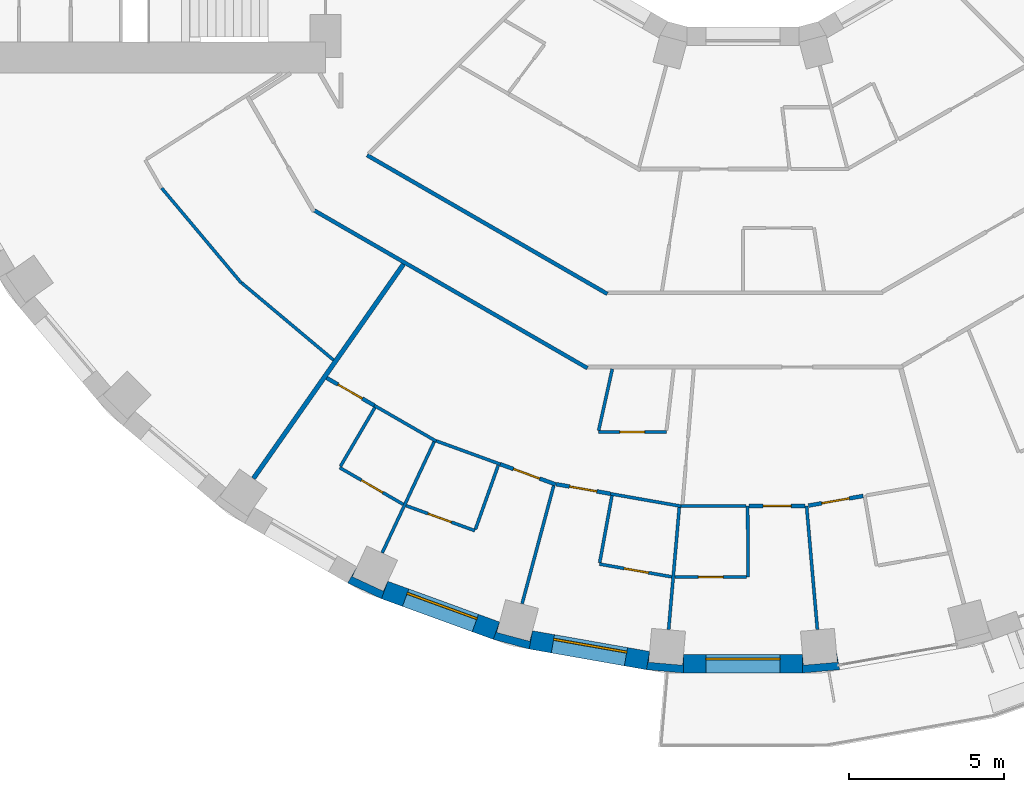
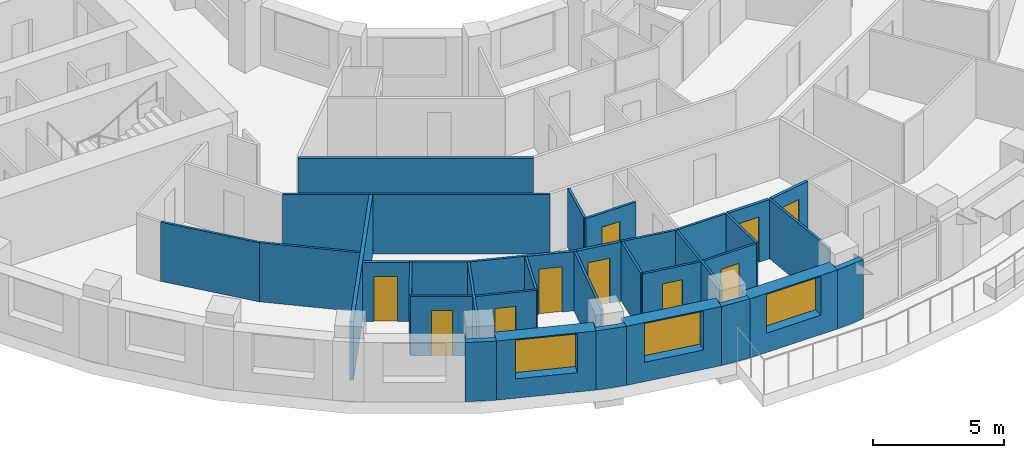
# One storey, part 5 of 16: 35 walls, 10 doors, 3 windows, 13 openings.
"""IFC4 building model written with IfcOpenShell, lengths in metres."""

from ifc_helpers import new_model, si_unit, direction, frame, frame_2d, origin, place, context, subcontext, project, spatial, polyline, rectangle, outline, extrude, material, layer, layer_set, type_object, element, fill, save


model = new_model("IFC4")

# Units and contexts
model_context = context("Model", 3, precision=1e-05, world=origin(), true_north=direction((0.0, 1.0)))
body_context = subcontext(model_context, "Body", "Model", "MODEL_VIEW")
ifc_project = project(units=[si_unit("LENGTHUNIT", "METRE"), si_unit("AREAUNIT", "SQUARE_METRE"), si_unit("VOLUMEUNIT", "CUBIC_METRE"), si_unit("PLANEANGLEUNIT", "RADIAN"), si_unit("MASSUNIT", "GRAM", prefix="KILO")], contexts=[model_context])

# Site, building, storey
site_placement = place(None, origin())
site = spatial("IfcSite", under=ifc_project, at=site_placement, CompositionType="ELEMENT")
building_placement = place(site_placement, origin())
building = spatial("IfcBuilding", under=site, at=building_placement, Name="Saqina Gate Tower", CompositionType="ELEMENT")
storey_placement = place(building_placement, frame((0.0, 0.0, 26.300048828125)))
storey = spatial("IfcBuildingStorey", under=building, at=storey_placement, Name="L06", CompositionType="ELEMENT", Elevation=26.300048828125)

# Walls
ifc_material_1 = material(Name="Brick masonry (red)", Category="masonry")
wall_type_1 = type_object("IfcWallType", Name="BRICK PIER COPING RED", PredefinedType="SOLIDWALL", material=ifc_material_1)
wall_1_placement = place(storey_placement, origin())
element("IfcWall", 1, at=wall_1_placement, inside=storey, type_object=wall_type_1, Name="Pier cap L06 column 25", PredefinedType="SOLIDWALL", context=body_context, shape_type="SweptSolid", body=[
    extrude(outline(polyline([(-11.687744140625, -26.48974609375), (-11.482666015625, -25.92578125), (-11.630615234375, -26.243408203125), (-12.627685546875, -25.778564453125), (-12.4794921875, -25.4609375), (-12.779541015625, -25.980712890625), (-11.687744140625, -26.48974609375)])), origin(), (0.0, 0.0, 1.0), 2.75),
])
wall_2_placement = place(storey_placement, origin())
element("IfcWall", 2, at=wall_2_placement, inside=storey, type_object=wall_type_1, Name="Pier cap L06 column 26", PredefinedType="SOLIDWALL", context=body_context, shape_type="SweptSolid", body=[
    extrude(outline(polyline([(-6.910400390625, -28.11669921875), (-6.80615234375, -27.52587890625), (-6.896728515625, -27.864501953125), (-7.95947265625, -27.57958984375), (-7.86865234375, -27.2412109375), (-8.073974609375, -27.80517578125), (-6.910400390625, -28.11669921875)])), origin(), (0.0, 0.0, 1.0), 2.75),
])
wall_3_placement = place(storey_placement, origin())
element("IfcWall", 3, at=wall_3_placement, inside=storey, type_object=wall_type_1, Name="Pier cap L06 column 27", PredefinedType="SOLIDWALL", context=body_context, shape_type="SweptSolid", body=[
    extrude(outline(polyline([(-3.122802734375, -28.78466796875), (-1.9228515625, -28.8896484375), (-1.9228515625, -28.28955078125), (-1.95361328125, -28.638671875), (-3.04931640625, -28.54296875), (-3.018798828125, -28.19384765625), (-3.122802734375, -28.78466796875)])), origin(), (0.0, 0.0, 1.0), 2.75),
])
wall_4_placement = place(storey_placement, origin())
element("IfcWall", 4, at=wall_4_placement, inside=storey, type_object=wall_type_1, Name="Pier cap L06 column 28", PredefinedType="SOLIDWALL", context=body_context, shape_type="SweptSolid", body=[
    extrude(outline(polyline([(1.9228515625, -28.8896484375), (3.122802734375, -28.78466796875), (3.018798828125, -28.19384765625), (3.04931640625, -28.54296875), (1.95361328125, -28.638671875), (1.9228515625, -28.28955078125), (1.9228515625, -28.8896484375)])), origin(), (0.0, 0.0, 1.0), 2.75),
])

# Wall, opening, window
ifc_material_2 = material(Name="Brick masonry (red)", Category="masonry")
ifc_layer_1 = layer(ifc_material_2, 0.60009765625)
ifc_layer_set_1 = layer_set([ifc_layer_1], Name="FW-BRICK-RED")
wall_type_2 = type_object("IfcWallType", Name="FW-BRICK-RED", PredefinedType="SOLIDWALL", material=ifc_layer_set_1)
wall_5_placement = place(storey_placement, frame((-11.585205078125, -26.207763671875, 0.0), z_axis=(0.0, 0.0, 1.0), x_axis=(0.939689588564, -0.342028474173, 0.0)))
wall_5 = element("IfcWall", 5, at=wall_5_placement, inside=storey, type_object=wall_type_2, Name="Facade wall L06 facet 25", PredefinedType="SOLIDWALL", context=body_context, shape_type="SweptSolid", body=[
    extrude(rectangle(XDim=3.845947265625, YDim=0.60009765625, at=frame_2d((1.9228515625, 0.0))), origin(), (0.0, 0.0, 1.0), 2.75),
])
opening_1_placement = place(wall_5_placement, frame((0.722900390625, 0.0, 0.89990234375)))
opening_1 = element("IfcOpeningElement", 6, at=opening_1_placement, cuts=wall_5, Name="Opening G01-W18", PredefinedType="OPENING", context=body_context, shape_type="SweptSolid", body=[
    extrude(rectangle(XDim=2.39990234375, YDim=1.800048828125, at=frame_2d((1.199951171875, 0.89990234375))), frame((0.0, 0.31201171875, 0.0), z_axis=(0.0, -1.0, 0.0), x_axis=(1.0, 0.0, 0.0)), (0.0, 0.0, 1.0), 0.6240234375),
])
ifc_material_3 = material(Name="Aluminium glazing", Category="aluminium")
window_type = type_object("IfcWindowType", Name="WN-A", PartitioningType="SINGLE_PANEL", PredefinedType="WINDOW", material=ifc_material_3)
window_1_placement = place(opening_1_placement, origin())
window_1 = element("IfcWindow", 7, at=window_1_placement, inside=storey, type_object=window_type, Name="Window L06 facet 25", OverallHeight=1.800048828125, OverallWidth=2.39990234375, PartitioningType="SINGLE_PANEL", PredefinedType="WINDOW", context=body_context, shape_type="SweptSolid", body=[
    extrude(rectangle(XDim=2.39990234375, YDim=1.800048828125, at=frame_2d((1.199951171875, 0.89990234375))), frame((0.0, 0.179931640625, 0.0), z_axis=(0.0, -1.0, 0.0), x_axis=(1.0, 0.0, 0.0)), (0.0, 0.0, 1.0), 0.06005859375),
])
fill(opening_1, window_1)

wall_6_placement = place(storey_placement, frame((-6.858154296875, -27.8212890625, 0.0), z_axis=(0.0, 0.0, 1.0), x_axis=(0.984800809218, -0.173687553279, 0.0)))
wall_6 = element("IfcWall", 8, at=wall_6_placement, inside=storey, type_object=wall_type_2, Name="Facade wall L06 facet 26", PredefinedType="SOLIDWALL", context=body_context, shape_type="SweptSolid", body=[
    extrude(rectangle(XDim=3.845703125, YDim=0.60009765625, at=frame_2d((1.9228515625, 0.0))), origin(), (0.0, 0.0, 1.0), 2.75),
])
opening_2_placement = place(wall_6_placement, frame((0.722900390625, 0.0, 0.89990234375)))
opening_2 = element("IfcOpeningElement", 9, at=opening_2_placement, cuts=wall_6, Name="Opening G01-W19", PredefinedType="OPENING", context=body_context, shape_type="SweptSolid", body=[
    extrude(rectangle(XDim=2.39990234375, YDim=1.800048828125, at=frame_2d((1.199951171875, 0.89990234375))), frame((0.0, 0.31201171875, 0.0), z_axis=(0.0, -1.0, 0.0), x_axis=(1.0, 0.0, 0.0)), (0.0, 0.0, 1.0), 0.6240234375),
])
window_2_placement = place(opening_2_placement, origin())
window_2 = element("IfcWindow", 10, at=window_2_placement, inside=storey, type_object=window_type, Name="Window L06 facet 26", OverallHeight=1.800048828125, OverallWidth=2.39990234375, PartitioningType="SINGLE_PANEL", PredefinedType="WINDOW", context=body_context, shape_type="SweptSolid", body=[
    extrude(rectangle(XDim=2.39990234375, YDim=1.800048828125, at=frame_2d((1.199951171875, 0.89990234375))), frame((0.0, 0.179931640625, 0.0), z_axis=(0.0, -1.0, 0.0), x_axis=(1.0, 0.0, 0.0)), (0.0, 0.0, 1.0), 0.06005859375),
])
fill(opening_2, window_2)

wall_7_placement = place(storey_placement, frame((-1.9228515625, -28.589599609375, 0.0), z_axis=(0.0, 0.0, 1.0), x_axis=(1.0, 0.0, 0.0)))
wall_7 = element("IfcWall", 11, at=wall_7_placement, inside=storey, type_object=wall_type_2, Name="Facade wall L06 facet 27", PredefinedType="SOLIDWALL", context=body_context, shape_type="SweptSolid", body=[
    extrude(rectangle(XDim=3.845703125, YDim=0.60009765625, at=frame_2d((1.9228515625, 0.0))), origin(), (0.0, 0.0, 1.0), 2.75),
])
opening_3_placement = place(wall_7_placement, frame((0.722900390625, 0.0, 0.89990234375)))
opening_3 = element("IfcOpeningElement", 12, at=opening_3_placement, cuts=wall_7, Name="Opening G01-W20", PredefinedType="OPENING", context=body_context, shape_type="SweptSolid", body=[
    extrude(rectangle(XDim=2.39990234375, YDim=1.800048828125, at=frame_2d((1.199951171875, 0.89990234375))), frame((0.0, 0.31201171875, 0.0), z_axis=(0.0, -1.0, 0.0), x_axis=(1.0, 0.0, 0.0)), (0.0, 0.0, 1.0), 0.6240234375),
])
window_3_placement = place(opening_3_placement, origin())
window_3 = element("IfcWindow", 13, at=window_3_placement, inside=storey, type_object=window_type, Name="Window L06 facet 27", OverallHeight=1.800048828125, OverallWidth=2.39990234375, PartitioningType="SINGLE_PANEL", PredefinedType="WINDOW", context=body_context, shape_type="SweptSolid", body=[
    extrude(rectangle(XDim=2.39990234375, YDim=1.800048828125, at=frame_2d((1.199951171875, 0.89990234375))), frame((0.0, 0.179931640625, 0.0), z_axis=(0.0, -1.0, 0.0), x_axis=(1.0, 0.0, 0.0)), (0.0, 0.0, 1.0), 0.06005859375),
])
fill(opening_3, window_3)

# Walls
ifc_material_4 = material(Name="Gypsum board on steel studs, 100 mm", Category="steel")
ifc_layer_2 = layer(ifc_material_4, 0.10009765625)
ifc_layer_set_2 = layer_set([ifc_layer_2], Name="PARTITION 100")
wall_type_3 = type_object("IfcWallType", Name="PARTITION 100", PredefinedType="PARTITIONING", material=ifc_layer_set_2)
wall_8_placement = place(storey_placement, frame((0.14990234375, -23.489990234375, 0.0), z_axis=(0.0, 0.0, 1.0), x_axis=(0.006580899844, -0.999978345644, 0.0)))
element("IfcWall", 14, at=wall_8_placement, inside=storey, type_object=wall_type_3, Name="PARTITION PW3-02", PredefinedType="PARTITIONING", context=body_context, shape_type="SweptSolid", body=[
    extrude(rectangle(XDim=2.300048828125, YDim=0.10009765625, at=frame_2d((1.14990234375, 0.0))), origin(), (0.0, 0.0, 1.0), 2.75),
])
wall_9_placement = place(storey_placement, frame((2.054931640625, -23.489990234375, 0.0), z_axis=(0.0, 0.0, 1.0), x_axis=(0.087176012461, -0.996192924514, 0.0)))
element("IfcWall", 15, at=wall_9_placement, inside=storey, type_object=wall_type_3, Name="PARTITION PW3-04", PredefinedType="PARTITIONING", context=body_context, shape_type="SweptSolid", body=[
    extrude(rectangle(XDim=4.010498046875, YDim=0.10009765625, at=frame_2d((2.00537109375, 0.0))), origin(), (0.0, 0.0, 1.0), 2.75),
])
wall_10_placement = place(storey_placement, frame((-18.789794921875, -13.21728515625, 0.0), z_axis=(0.0, 0.0, 1.0), x_axis=(0.642871887239, -0.765973717955, 0.0)))
element("IfcWall", 16, at=wall_10_placement, inside=storey, type_object=wall_type_3, Name="PARTITION PW3-28", PredefinedType="PARTITIONING", context=body_context, shape_type="SweptSolid", body=[
    extrude(rectangle(XDim=4.006103515625, YDim=0.10009765625, at=frame_2d((2.0029296875, 0.0))), origin(), (0.0, 0.0, 1.0), 2.75),
])
wall_11_placement = place(storey_placement, frame((-16.208740234375, -16.279052734375, 0.0), z_axis=(0.0, 0.0, 1.0), x_axis=(0.765983658549, -0.642860042961, 0.0)))
element("IfcWall", 17, at=wall_11_placement, inside=storey, type_object=wall_type_3, Name="PARTITION PW3-33", PredefinedType="PARTITIONING", context=body_context, shape_type="SweptSolid", body=[
    extrude(rectangle(XDim=3.880615234375, YDim=0.10009765625, at=frame_2d((1.9404296875, 0.0))), origin(), (0.0, 0.0, 1.0), 2.75),
])

# Wall, opening, door
wall_12_placement = place(storey_placement, frame((-13.0380859375, -22.251953125, 0.0), z_axis=(0.0, 0.0, 1.0), x_axis=(0.865966132161, -0.500102647413, 0.0)))
wall_12 = element("IfcWall", 18, at=wall_12_placement, inside=storey, type_object=wall_type_3, Name="PARTITION PW3-37", PredefinedType="PARTITIONING", context=body_context, shape_type="SweptSolid", body=[
    extrude(rectangle(XDim=2.37158203125, YDim=0.10009765625, at=frame_2d((1.185791015625, 0.0))), origin(), (0.0, 0.0, 1.0), 2.75),
])
opening_4_placement = place(wall_12_placement, frame((0.810791015625, 0.0, 0.0)))
opening_4 = element("IfcOpeningElement", 19, at=opening_4_placement, cuts=wall_12, Name="Opening G01-D44", PredefinedType="OPENING", context=body_context, shape_type="SweptSolid", body=[
    extrude(rectangle(XDim=0.800048828125, YDim=2.10009765625, at=frame_2d((0.39990234375, 1.050048828125))), frame((0.0, 0.06201171875, 0.0), z_axis=(0.0, -1.0, 0.0), x_axis=(1.0, 0.0, 0.0)), (0.0, 0.0, 1.0), 0.1240234375),
])
ifc_material_5 = material(Name="Timber door leaf, 800 mm", Category="wood")
door_type_1 = type_object("IfcDoorType", Name="DOOR 800 TIMBER", OperationType="SINGLE_SWING_LEFT", PredefinedType="DOOR", material=ifc_material_5)
door_1_placement = place(opening_4_placement, frame((0.800048828125, 0.0, 0.0), z_axis=(0.0, 0.0, 1.0), x_axis=(-1.0, 0.0, 0.0)))
door_1 = element("IfcDoor", 20, at=door_1_placement, inside=storey, type_object=door_type_1, Name="DOOR G01-D44", OperationType="SINGLE_SWING_LEFT", OverallHeight=2.10009765625, OverallWidth=0.800048828125, PredefinedType="DOOR", context=body_context, shape_type="SweptSolid", body=[
    extrude(rectangle(XDim=0.800048828125, YDim=2.10009765625, at=frame_2d((0.39990234375, 1.050048828125))), frame((0.0, 0.02490234375, 0.0), z_axis=(0.0, -1.0, 0.0), x_axis=(1.0, 0.0, 0.0)), (0.0, 0.0, 1.0), 0.050048828125),
])
fill(opening_4, door_1)

# Wall
wall_13_placement = place(storey_placement, frame((-11.918212890625, -20.24267578125, 0.0), z_axis=(0.0, 0.0, 1.0), x_axis=(0.866176772653, -0.49973772973, 0.0)))
element("IfcWall", 21, at=wall_13_placement, inside=storey, type_object=wall_type_3, Name="PARTITION PW3-38", PredefinedType="PARTITIONING", context=body_context, shape_type="SweptSolid", body=[
    extrude(rectangle(XDim=2.305908203125, YDim=0.10009765625, at=frame_2d((1.15283203125, 0.0))), origin(), (0.0, 0.0, 1.0), 2.75),
])

# Wall, opening, door
wall_14_placement = place(storey_placement, frame((-10.89404296875, -23.47998046875, 0.0), z_axis=(0.0, 0.0, 1.0), x_axis=(0.939679129941, -0.342057206844, 0.0)))
wall_14 = element("IfcWall", 22, at=wall_14_placement, inside=storey, type_object=wall_type_3, Name="PARTITION PW3-47", PredefinedType="PARTITIONING", context=body_context, shape_type="SweptSolid", body=[
    extrude(rectangle(XDim=2.37109375, YDim=0.10009765625, at=frame_2d((1.185546875, 0.0))), origin(), (0.0, 0.0, 1.0), 2.75),
])
opening_5_placement = place(wall_14_placement, frame((0.760498046875, 0.0, 0.0)))
opening_5 = element("IfcOpeningElement", 23, at=opening_5_placement, cuts=wall_14, Name="Opening G01-D46", PredefinedType="OPENING", context=body_context, shape_type="SweptSolid", body=[
    extrude(rectangle(XDim=0.800048828125, YDim=2.10009765625, at=frame_2d((0.39990234375, 1.050048828125))), frame((0.0, 0.06201171875, 0.0), z_axis=(0.0, -1.0, 0.0), x_axis=(1.0, 0.0, 0.0)), (0.0, 0.0, 1.0), 0.1240234375),
])
door_2_placement = place(opening_5_placement, frame((0.800048828125, 0.0, 0.0), z_axis=(0.0, 0.0, 1.0), x_axis=(-1.0, 0.0, 0.0)))
door_2 = element("IfcDoor", 24, at=door_2_placement, inside=storey, type_object=door_type_1, Name="DOOR G01-D46", OperationType="SINGLE_SWING_RIGHT", OverallHeight=2.10009765625, OverallWidth=0.800048828125, PredefinedType="DOOR", context=body_context, shape_type="SweptSolid", body=[
    extrude(rectangle(XDim=0.800048828125, YDim=2.10009765625, at=frame_2d((0.39990234375, 1.050048828125))), frame((0.0, 0.02490234375, 0.0), z_axis=(0.0, -1.0, 0.0), x_axis=(1.0, 0.0, 0.0)), (0.0, 0.0, 1.0), 0.050048828125),
])
fill(opening_5, door_2)

# Wall
wall_15_placement = place(storey_placement, frame((-9.91796875, -21.38720703125, 0.0), z_axis=(0.0, 0.0, 1.0), x_axis=(0.939728749343, -0.341920864613, 0.0)))
element("IfcWall", 25, at=wall_15_placement, inside=storey, type_object=wall_type_3, Name="PARTITION PW3-48", PredefinedType="PARTITIONING", context=body_context, shape_type="SweptSolid", body=[
    extrude(rectangle(XDim=2.204833984375, YDim=0.10009765625, at=frame_2d((1.1025390625, 0.0))), origin(), (0.0, 0.0, 1.0), 2.75),
])

# Wall, opening, door
wall_16_placement = place(storey_placement, frame((-4.64111328125, -25.368896484375, 0.0), z_axis=(0.0, 0.0, 1.0), x_axis=(0.984774232096, -0.17383817705, 0.0)))
wall_16 = element("IfcWall", 26, at=wall_16_placement, inside=storey, type_object=wall_type_3, Name="PARTITION PW3-51", PredefinedType="PARTITIONING", context=body_context, shape_type="SweptSolid", body=[
    extrude(rectangle(XDim=2.3720703125, YDim=0.10009765625, at=frame_2d((1.18603515625, 0.0))), origin(), (0.0, 0.0, 1.0), 2.75),
])
opening_6_placement = place(wall_16_placement, frame((0.810791015625, 0.0, 0.0)))
opening_6 = element("IfcOpeningElement", 27, at=opening_6_placement, cuts=wall_16, Name="Opening G01-D51", PredefinedType="OPENING", context=body_context, shape_type="SweptSolid", body=[
    extrude(rectangle(XDim=0.800048828125, YDim=2.10009765625, at=frame_2d((0.39990234375, 1.050048828125))), frame((0.0, 0.06201171875, 0.0), z_axis=(0.0, -1.0, 0.0), x_axis=(1.0, 0.0, 0.0)), (0.0, 0.0, 1.0), 0.1240234375),
])
door_3_placement = place(opening_6_placement, frame((0.800048828125, 0.0, 0.0), z_axis=(0.0, 0.0, 1.0), x_axis=(-1.0, 0.0, 0.0)))
door_3 = element("IfcDoor", 28, at=door_3_placement, inside=storey, type_object=door_type_1, Name="DOOR G01-D51", OperationType="SINGLE_SWING_LEFT", OverallHeight=2.10009765625, OverallWidth=0.800048828125, PredefinedType="DOOR", context=body_context, shape_type="SweptSolid", body=[
    extrude(rectangle(XDim=0.800048828125, YDim=2.10009765625, at=frame_2d((0.39990234375, 1.050048828125))), frame((0.0, 0.02490234375, 0.0), z_axis=(0.0, -1.0, 0.0), x_axis=(1.0, 0.0, 0.0)), (0.0, 0.0, 1.0), 0.050048828125),
])
fill(opening_6, door_3)

# Wall
wall_17_placement = place(storey_placement, frame((-4.276123046875, -23.098388671875, 0.0), z_axis=(0.0, 0.0, 1.0), x_axis=(0.984814448646, -0.173610200557, 0.0)))
element("IfcWall", 29, at=wall_17_placement, inside=storey, type_object=wall_type_3, Name="PARTITION PW3-52", PredefinedType="PARTITIONING", context=body_context, shape_type="SweptSolid", body=[
    extrude(rectangle(XDim=2.30615234375, YDim=0.10009765625, at=frame_2d((1.153076171875, 0.0))), origin(), (0.0, 0.0, 1.0), 2.75),
])

# Wall, opening, door
wall_18_placement = place(storey_placement, frame((-2.2060546875, -25.7900390625, 0.0), z_axis=(0.0, 0.0, 1.0), x_axis=(1.0, 0.0, 0.0)))
wall_18 = element("IfcWall", 30, at=wall_18_placement, inside=storey, type_object=wall_type_3, Name="PARTITION PW3-55", PredefinedType="PARTITIONING", context=body_context, shape_type="SweptSolid", body=[
    extrude(rectangle(XDim=2.321044921875, YDim=0.10009765625, at=frame_2d((1.16064453125, 0.0))), origin(), (0.0, 0.0, 1.0), 2.75),
])
opening_7_placement = place(wall_18_placement, frame((0.760498046875, 0.0, 0.0)))
opening_7 = element("IfcOpeningElement", 31, at=opening_7_placement, cuts=wall_18, Name="Opening G01-D54", PredefinedType="OPENING", context=body_context, shape_type="SweptSolid", body=[
    extrude(rectangle(XDim=0.800048828125, YDim=2.10009765625, at=frame_2d((0.39990234375, 1.050048828125))), frame((0.0, 0.06201171875, 0.0), z_axis=(0.0, -1.0, 0.0), x_axis=(1.0, 0.0, 0.0)), (0.0, 0.0, 1.0), 0.1240234375),
])
door_4_placement = place(opening_7_placement, frame((0.800048828125, 0.0, 0.0), z_axis=(0.0, 0.0, 1.0), x_axis=(-1.0, 0.0, 0.0)))
door_4 = element("IfcDoor", 32, at=door_4_placement, inside=storey, type_object=door_type_1, Name="DOOR G01-D54", OperationType="SINGLE_SWING_RIGHT", OverallHeight=2.10009765625, OverallWidth=0.800048828125, PredefinedType="DOOR", context=body_context, shape_type="SweptSolid", body=[
    extrude(rectangle(XDim=0.800048828125, YDim=2.10009765625, at=frame_2d((0.39990234375, 1.050048828125))), frame((0.0, 0.02490234375, 0.0), z_axis=(0.0, -1.0, 0.0), x_axis=(1.0, 0.0, 0.0)), (0.0, 0.0, 1.0), 0.050048828125),
])
fill(opening_7, door_4)

# Wall
wall_19_placement = place(storey_placement, frame((-2.0048828125, -23.489990234375, 0.0), z_axis=(0.0, 0.0, 1.0), x_axis=(1.0, 0.0, 0.0)))
element("IfcWall", 33, at=wall_19_placement, inside=storey, type_object=wall_type_3, Name="PARTITION PW3-56", PredefinedType="PARTITIONING", context=body_context, shape_type="SweptSolid", body=[
    extrude(rectangle(XDim=2.10498046875, YDim=0.10009765625, at=frame_2d((1.052490234375, 0.0))), origin(), (0.0, 0.0, 1.0), 2.75),
])

# Wall, opening, door
wall_20_placement = place(storey_placement, frame((-4.677978515625, -21.10009765625, 0.0), z_axis=(0.0, 0.0, 1.0), x_axis=(1.0, 0.0, 0.0)))
wall_20 = element("IfcWall", 34, at=wall_20_placement, inside=storey, type_object=wall_type_3, Name="PARTITION PW3-57", PredefinedType="PARTITIONING", context=body_context, shape_type="SweptSolid", body=[
    extrude(rectangle(XDim=2.197998046875, YDim=0.10009765625, at=frame_2d((1.09912109375, 0.0))), origin(), (0.0, 0.0, 1.0), 2.75),
])
opening_8_placement = place(wall_20_placement, frame((0.698974609375, 0.0, 0.0)))
opening_8 = element("IfcOpeningElement", 35, at=opening_8_placement, cuts=wall_20, Name="Opening G01-D49", PredefinedType="OPENING", context=body_context, shape_type="SweptSolid", body=[
    extrude(rectangle(XDim=0.800048828125, YDim=2.10009765625, at=frame_2d((0.39990234375, 1.050048828125))), frame((0.0, 0.06201171875, 0.0), z_axis=(0.0, -1.0, 0.0), x_axis=(1.0, 0.0, 0.0)), (0.0, 0.0, 1.0), 0.1240234375),
])
door_5_placement = place(opening_8_placement, frame((0.800048828125, 0.0, 0.0), z_axis=(0.0, 0.0, 1.0), x_axis=(-1.0, 0.0, 0.0)))
door_5 = element("IfcDoor", 36, at=door_5_placement, inside=storey, type_object=door_type_1, Name="DOOR G01-D49", OperationType="SINGLE_SWING_LEFT", OverallHeight=2.10009765625, OverallWidth=0.800048828125, PredefinedType="DOOR", context=body_context, shape_type="SweptSolid", body=[
    extrude(rectangle(XDim=0.800048828125, YDim=2.10009765625, at=frame_2d((0.39990234375, 1.050048828125))), frame((0.0, 0.02490234375, 0.0), z_axis=(0.0, -1.0, 0.0), x_axis=(1.0, 0.0, 0.0)), (0.0, 0.0, 1.0), 0.050048828125),
])
fill(opening_8, door_5)

# Walls
wall_21_placement = place(storey_placement, frame((-13.0126953125, -22.208984375, 0.0), z_axis=(0.0, 0.0, 1.0), x_axis=(0.505622659536, 0.862754731174, 0.0)))
element("IfcWall", 37, at=wall_21_placement, inside=storey, type_object=wall_type_3, Name="PARTITION PW3-100", PredefinedType="PARTITIONING", context=body_context, shape_type="SweptSolid", body=[
    extrude(rectangle(XDim=2.199951171875, YDim=0.10009765625, at=frame_2d((1.10009765625, 0.0))), origin(), (0.0, 0.0, 1.0), 2.75),
])
wall_22_placement = place(storey_placement, frame((-11.66162109375, -25.004150390625, 0.0), z_axis=(0.0, 0.0, 1.0), x_axis=(0.423587219874, 0.905855323525, 0.0)))
element("IfcWall", 38, at=wall_22_placement, inside=storey, type_object=wall_type_3, Name="PARTITION PW3-104", PredefinedType="PARTITIONING", context=body_context, shape_type="SweptSolid", body=[
    extrude(rectangle(XDim=3.960693359375, YDim=0.10009765625, at=frame_2d((1.98046875, 0.0))), origin(), (0.0, 0.0, 1.0), 2.75),
])
wall_23_placement = place(storey_placement, frame((-8.649169921875, -24.243896484375, 0.0), z_axis=(0.0, 0.0, 1.0), x_axis=(0.335940567571, 0.941883185464, 0.0)))
element("IfcWall", 39, at=wall_23_placement, inside=storey, type_object=wall_type_3, Name="PARTITION PW3-106", PredefinedType="PARTITIONING", context=body_context, shape_type="SweptSolid", body=[
    extrude(rectangle(XDim=2.188232421875, YDim=0.10009765625, at=frame_2d((1.09423828125, 0.0))), origin(), (0.0, 0.0, 1.0), 2.75),
])
wall_24_placement = place(storey_placement, frame((-7.140625, -26.64990234375, 0.0), z_axis=(0.0, 0.0, 1.0), x_axis=(0.258740206688, 0.96594694753, 0.0)))
element("IfcWall", 40, at=wall_24_placement, inside=storey, type_object=wall_type_3, Name="PARTITION PW3-108", PredefinedType="PARTITIONING", context=body_context, shape_type="SweptSolid", body=[
    extrude(rectangle(XDim=3.947998046875, YDim=0.10009765625, at=frame_2d((1.97412109375, 0.0))), origin(), (0.0, 0.0, 1.0), 2.75),
])
wall_25_placement = place(storey_placement, frame((-4.667236328125, -21.05126953125, 0.0), z_axis=(0.0, 0.0, 1.0), x_axis=(0.216638806782, 0.976251825809, 0.0)))
element("IfcWall", 41, at=wall_25_placement, inside=storey, type_object=wall_type_3, Name="PARTITION PW3-111", PredefinedType="PARTITIONING", context=body_context, shape_type="SweptSolid", body=[
    extrude(rectangle(XDim=2.03857421875, YDim=0.10009765625, at=frame_2d((1.019287109375, 0.0))), origin(), (0.0, 0.0, 1.0), 2.75),
])
wall_26_placement = place(storey_placement, frame((-4.632080078125, -25.31982421875, 0.0), z_axis=(0.0, 0.0, 1.0), x_axis=(0.180037913286, 0.983659671726, 0.0)))
element("IfcWall", 42, at=wall_26_placement, inside=storey, type_object=wall_type_3, Name="PARTITION PW3-112", PredefinedType="PARTITIONING", context=body_context, shape_type="SweptSolid", body=[
    extrude(rectangle(XDim=2.199462890625, YDim=0.10009765625, at=frame_2d((1.099609375, 0.0))), origin(), (0.0, 0.0, 1.0), 2.75),
])
wall_27_placement = place(storey_placement, frame((-2.404052734375, -27.485107421875, 0.0), z_axis=(0.0, 0.0, 1.0), x_axis=(0.087044593785, 0.996204416118, 0.0)))
element("IfcWall", 43, at=wall_27_placement, inside=storey, type_object=wall_type_3, Name="PARTITION PW3-117", PredefinedType="PARTITIONING", context=body_context, shape_type="SweptSolid", body=[
    extrude(rectangle(XDim=3.96044921875, YDim=0.10009765625, at=frame_2d((1.980224609375, 0.0))), origin(), (0.0, 0.0, 1.0), 2.75),
])

# Wall, opening, door
ifc_material_6 = material(Name="Gypsum board on steel studs, 125 mm, fire rated", Category="steel")
ifc_layer_3 = layer(ifc_material_6, 0.125)
ifc_layer_set_3 = layer_set([ifc_layer_3], Name="PARTITION EI 30 125")
wall_type_4 = type_object("IfcWallType", Name="PARTITION EI 30 125", PredefinedType="PARTITIONING", material=ifc_layer_set_3)
wall_28_placement = place(storey_placement, frame((-13.458984375, -19.3525390625, 0.0), z_axis=(0.0, 0.0, 1.0), x_axis=(0.865826772399, -0.500343881942, 0.0)))
wall_28 = element("IfcWall", 44, at=wall_28_placement, inside=storey, type_object=wall_type_4, Name="PARTITION PW1-13", PredefinedType="PARTITIONING", context=body_context, shape_type="SweptSolid", body=[
    extrude(rectangle(XDim=1.779541015625, YDim=0.125, at=frame_2d((0.8896484375, 0.0))), origin(), (0.0, 0.0, 1.0), 2.75),
])
opening_9_placement = place(wall_28_placement, frame((0.42724609375, 0.0, 0.0)))
opening_9 = element("IfcOpeningElement", 45, at=opening_9_placement, cuts=wall_28, Name="Opening G01-D43", PredefinedType="OPENING", context=body_context, shape_type="SweptSolid", body=[
    extrude(rectangle(XDim=0.89990234375, YDim=2.10009765625, at=frame_2d((0.449951171875, 1.050048828125))), frame((0.0, 0.074462890625, 0.0), z_axis=(0.0, -1.0, 0.0), x_axis=(1.0, 0.0, 0.0)), (0.0, 0.0, 1.0), 0.14892578125),
])
ifc_material_7 = material(Name="Fire door leaf EI 30, 900 mm")
door_type_2 = type_object("IfcDoorType", Name="DOOR 900 EI 30", OperationType="SINGLE_SWING_LEFT", PredefinedType="DOOR", material=ifc_material_7)
door_6_placement = place(opening_9_placement, origin())
door_6 = element("IfcDoor", 46, at=door_6_placement, inside=storey, type_object=door_type_2, Name="DOOR G01-D43", OperationType="SINGLE_SWING_LEFT", OverallHeight=2.10009765625, OverallWidth=0.89990234375, PredefinedType="DOOR", context=body_context, shape_type="SweptSolid", body=[
    extrude(rectangle(XDim=0.89990234375, YDim=2.10009765625, at=frame_2d((0.449951171875, 1.050048828125))), frame((0.0, 0.02490234375, 0.0), z_axis=(0.0, -1.0, 0.0), x_axis=(1.0, 0.0, 0.0)), (0.0, 0.0, 1.0), 0.050048828125),
])
fill(opening_9, door_6)

# Walls
wall_29_placement = place(storey_placement, frame((-13.85498046875, -13.940185546875, 0.0), z_axis=(0.0, 0.0, 1.0), x_axis=(0.866024825845, -0.50000100102, 0.0)))
element("IfcWall", 47, at=wall_29_placement, inside=storey, type_object=wall_type_4, Name="PARTITION PW1-14", PredefinedType="PARTITIONING", context=body_context, shape_type="SweptSolid", body=[
    extrude(rectangle(XDim=10.19189453125, YDim=0.125, at=frame_2d((5.095947265625, 0.0))), origin(), (0.0, 0.0, 1.0), 2.75),
])
wall_30_placement = place(storey_placement, frame((-12.152099609375, -12.152099609375, 0.0), z_axis=(0.0, 0.0, 1.0), x_axis=(0.866033263559, -0.499986386223, 0.0)))
element("IfcWall", 48, at=wall_30_placement, inside=storey, type_object=wall_type_4, Name="PARTITION PW1-15", PredefinedType="PARTITIONING", context=body_context, shape_type="SweptSolid", body=[
    extrude(rectangle(XDim=8.968017578125, YDim=0.125, at=frame_2d((4.48388671875, 0.0))), origin(), (0.0, 0.0, 1.0), 2.75),
])

# Wall, opening, door
wall_31_placement = place(storey_placement, frame((-7.845947265625, -22.14111328125, 0.0), z_axis=(0.0, 0.0, 1.0), x_axis=(0.939598786757, -0.342277840247, 0.0)))
wall_31 = element("IfcWall", 49, at=wall_31_placement, inside=storey, type_object=wall_type_4, Name="PARTITION PW1-21", PredefinedType="PARTITIONING", context=body_context, shape_type="SweptSolid", body=[
    extrude(rectangle(XDim=1.906005859375, YDim=0.125, at=frame_2d((0.953125, 0.0))), origin(), (0.0, 0.0, 1.0), 2.75),
])
opening_10_placement = place(wall_31_placement, frame((0.452392578125, 0.0, 0.0)))
opening_10 = element("IfcOpeningElement", 50, at=opening_10_placement, cuts=wall_31, Name="Opening G01-D47", PredefinedType="OPENING", context=body_context, shape_type="SweptSolid", body=[
    extrude(rectangle(XDim=0.89990234375, YDim=2.10009765625, at=frame_2d((0.449951171875, 1.050048828125))), frame((0.0, 0.074462890625, 0.0), z_axis=(0.0, -1.0, 0.0), x_axis=(1.0, 0.0, 0.0)), (0.0, 0.0, 1.0), 0.14892578125),
])
door_7_placement = place(opening_10_placement, origin())
door_7 = element("IfcDoor", 51, at=door_7_placement, inside=storey, type_object=door_type_2, Name="DOOR G01-D47", OperationType="SINGLE_SWING_RIGHT", OverallHeight=2.10009765625, OverallWidth=0.89990234375, PredefinedType="DOOR", context=body_context, shape_type="SweptSolid", body=[
    extrude(rectangle(XDim=0.89990234375, YDim=2.10009765625, at=frame_2d((0.449951171875, 1.050048828125))), frame((0.0, 0.02490234375, 0.0), z_axis=(0.0, -1.0, 0.0), x_axis=(1.0, 0.0, 0.0)), (0.0, 0.0, 1.0), 0.050048828125),
])
fill(opening_10, door_7)

wall_32_placement = place(storey_placement, frame((-6.04150390625, -22.786865234375, 0.0), z_axis=(0.0, 0.0, 1.0), x_axis=(0.984784929821, -0.173777564715, 0.0)))
wall_32 = element("IfcWall", 52, at=wall_32_placement, inside=storey, type_object=wall_type_4, Name="PARTITION PW1-23", PredefinedType="PARTITIONING", context=body_context, shape_type="SweptSolid", body=[
    extrude(rectangle(XDim=1.792724609375, YDim=0.125, at=frame_2d((0.896484375, 0.0))), origin(), (0.0, 0.0, 1.0), 2.75),
])
opening_11_placement = place(wall_32_placement, frame((0.43994140625, 0.0, 0.0)))
opening_11 = element("IfcOpeningElement", 53, at=opening_11_placement, cuts=wall_32, Name="Opening G01-D48", PredefinedType="OPENING", context=body_context, shape_type="SweptSolid", body=[
    extrude(rectangle(XDim=0.89990234375, YDim=2.10009765625, at=frame_2d((0.449951171875, 1.050048828125))), frame((0.0, 0.074462890625, 0.0), z_axis=(0.0, -1.0, 0.0), x_axis=(1.0, 0.0, 0.0)), (0.0, 0.0, 1.0), 0.14892578125),
])
door_8_placement = place(opening_11_placement, origin())
door_8 = element("IfcDoor", 54, at=door_8_placement, inside=storey, type_object=door_type_2, Name="DOOR G01-D48", OperationType="SINGLE_SWING_LEFT", OverallHeight=2.10009765625, OverallWidth=0.89990234375, PredefinedType="DOOR", context=body_context, shape_type="SweptSolid", body=[
    extrude(rectangle(XDim=0.89990234375, YDim=2.10009765625, at=frame_2d((0.449951171875, 1.050048828125))), frame((0.0, 0.02490234375, 0.0), z_axis=(0.0, -1.0, 0.0), x_axis=(1.0, 0.0, 0.0)), (0.0, 0.0, 1.0), 0.050048828125),
])
fill(opening_11, door_8)

wall_33_placement = place(storey_placement, frame((0.199951171875, -23.489990234375, 0.0), z_axis=(0.0, 0.0, 1.0), x_axis=(1.0, 0.0, 0.0)))
wall_33 = element("IfcWall", 55, at=wall_33_placement, inside=storey, type_object=wall_type_4, Name="PARTITION PW1-25", PredefinedType="PARTITIONING", context=body_context, shape_type="SweptSolid", body=[
    extrude(rectangle(XDim=1.804931640625, YDim=0.125, at=frame_2d((0.90234375, 0.0))), origin(), (0.0, 0.0, 1.0), 2.75),
])
opening_12_placement = place(wall_33_placement, frame((0.452392578125, 0.0, 0.0)))
opening_12 = element("IfcOpeningElement", 56, at=opening_12_placement, cuts=wall_33, Name="Opening G01-D55", PredefinedType="OPENING", context=body_context, shape_type="SweptSolid", body=[
    extrude(rectangle(XDim=0.89990234375, YDim=2.10009765625, at=frame_2d((0.449951171875, 1.050048828125))), frame((0.0, 0.074462890625, 0.0), z_axis=(0.0, -1.0, 0.0), x_axis=(1.0, 0.0, 0.0)), (0.0, 0.0, 1.0), 0.14892578125),
])
door_9_placement = place(opening_12_placement, origin())
door_9 = element("IfcDoor", 57, at=door_9_placement, inside=storey, type_object=door_type_2, Name="DOOR G01-D55", OperationType="SINGLE_SWING_RIGHT", OverallHeight=2.10009765625, OverallWidth=0.89990234375, PredefinedType="DOOR", context=body_context, shape_type="SweptSolid", body=[
    extrude(rectangle(XDim=0.89990234375, YDim=2.10009765625, at=frame_2d((0.449951171875, 1.050048828125))), frame((0.0, 0.02490234375, 0.0), z_axis=(0.0, -1.0, 0.0), x_axis=(1.0, 0.0, 0.0)), (0.0, 0.0, 1.0), 0.050048828125),
])
fill(opening_12, door_9)

wall_34_placement = place(storey_placement, frame((2.116455078125, -23.479248046875, 0.0), z_axis=(0.0, 0.0, 1.0), x_axis=(0.984784929821, 0.173777564715, 0.0)))
wall_34 = element("IfcWall", 58, at=wall_34_placement, inside=storey, type_object=wall_type_4, Name="PARTITION PW1-33", PredefinedType="PARTITIONING", context=body_context, shape_type="SweptSolid", body=[
    extrude(rectangle(XDim=1.792724609375, YDim=0.125, at=frame_2d((0.896484375, 0.0))), origin(), (0.0, 0.0, 1.0), 2.75),
])
opening_13_placement = place(wall_34_placement, frame((0.43994140625, 0.0, 0.0)))
opening_13 = element("IfcOpeningElement", 59, at=opening_13_placement, cuts=wall_34, Name="Opening G01-D59", PredefinedType="OPENING", context=body_context, shape_type="SweptSolid", body=[
    extrude(rectangle(XDim=0.89990234375, YDim=2.10009765625, at=frame_2d((0.449951171875, 1.050048828125))), frame((0.0, 0.074462890625, 0.0), z_axis=(0.0, -1.0, 0.0), x_axis=(1.0, 0.0, 0.0)), (0.0, 0.0, 1.0), 0.14892578125),
])
door_10_placement = place(opening_13_placement, origin())
door_10 = element("IfcDoor", 60, at=door_10_placement, inside=storey, type_object=door_type_2, Name="DOOR G01-D59", OperationType="SINGLE_SWING_LEFT", OverallHeight=2.10009765625, OverallWidth=0.89990234375, PredefinedType="DOOR", context=body_context, shape_type="SweptSolid", body=[
    extrude(rectangle(XDim=0.89990234375, YDim=2.10009765625, at=frame_2d((0.449951171875, 1.050048828125))), frame((0.0, 0.02490234375, 0.0), z_axis=(0.0, -1.0, 0.0), x_axis=(1.0, 0.0, 0.0)), (0.0, 0.0, 1.0), 0.050048828125),
])
fill(opening_13, door_10)

# Wall
ifc_material_8 = material(Name="Gypsum board on steel studs, 150 mm, fire rated", Category="steel")
ifc_layer_4 = layer(ifc_material_8, 0.14990234375)
ifc_layer_set_4 = layer_set([ifc_layer_4], Name="PARTITION EI 60 150")
wall_type_5 = type_object("IfcWallType", Name="PARTITION EI 60 150", PredefinedType="PARTITIONING", material=ifc_layer_set_4)
wall_35_placement = place(storey_placement, frame((-15.82470703125, -22.6005859375, 0.0), z_axis=(0.0, 0.0, 1.0), x_axis=(0.573566991507, 0.819158657559, 0.0)))
element("IfcWall", 61, at=wall_35_placement, inside=storey, type_object=wall_type_5, Name="PARTITION PW2-03", PredefinedType="PARTITIONING", context=body_context, shape_type="SweptSolid", body=[
    extrude(rectangle(XDim=8.454833984375, YDim=0.14990234375, at=frame_2d((4.2275390625, 0.0))), origin(), (0.0, 0.0, 1.0), 2.75),
])

save(model, "model.ifc")
